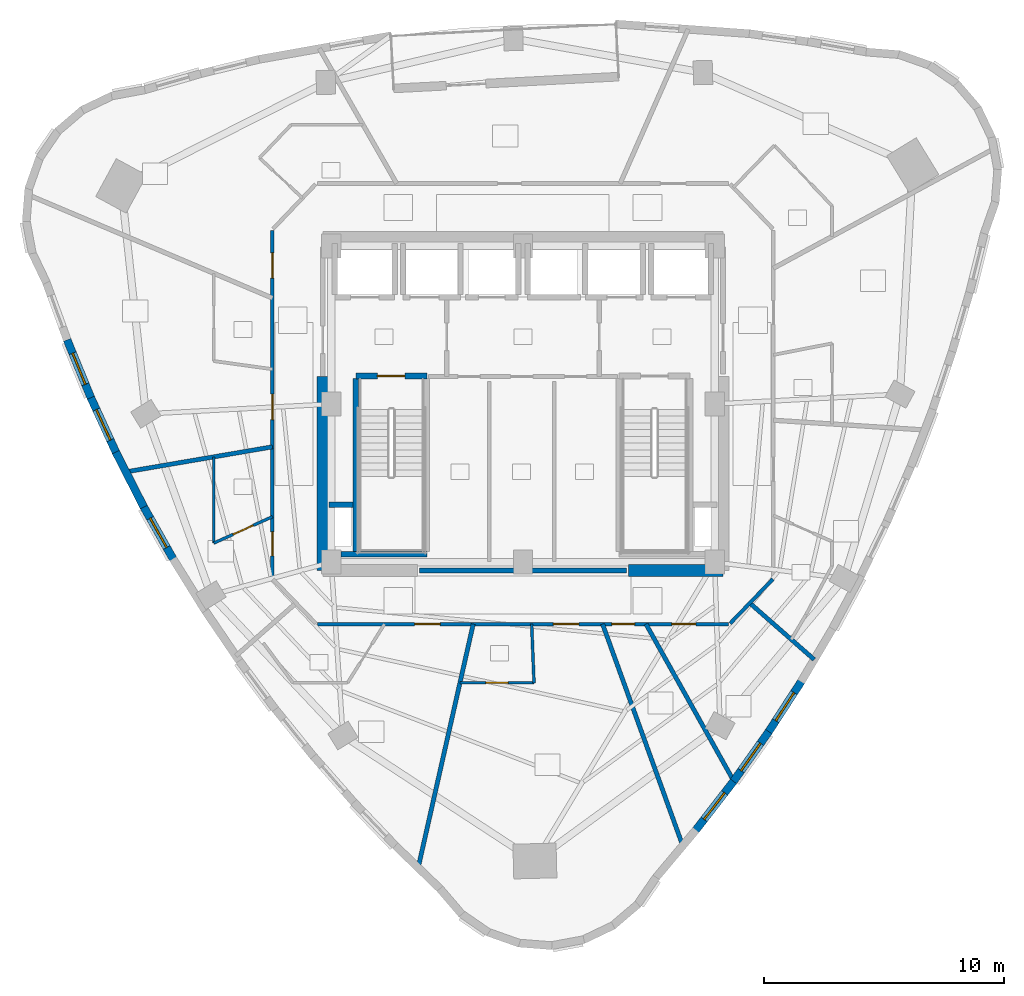
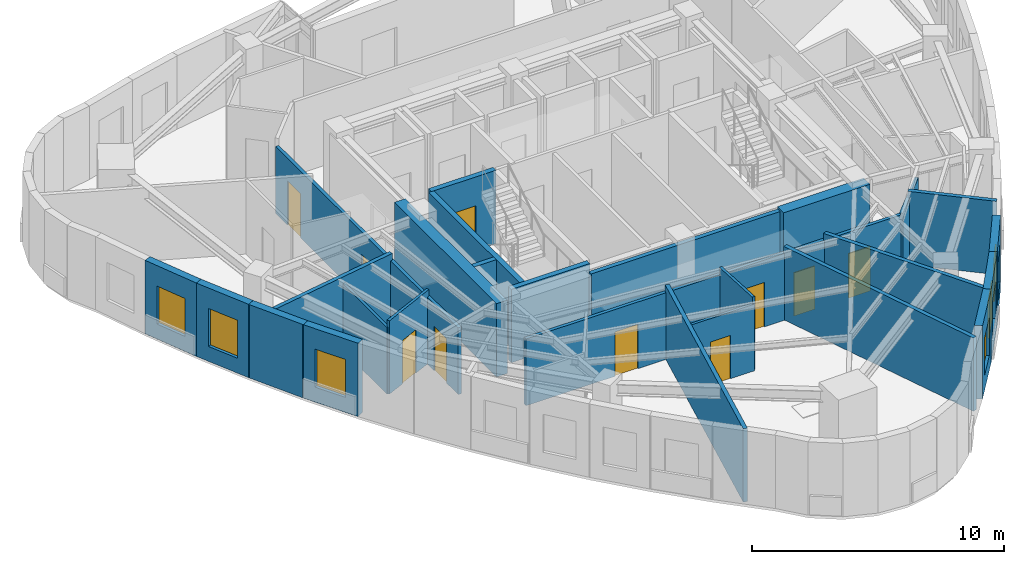
# One storey, part 5 of 11: 26 walls, 10 doors, 6 windows, 16 openings.
"""IFC4 building model written with IfcOpenShell, lengths in metres."""

from ifc_helpers import new_model, si_unit, direction, frame, frame_2d, origin, place, context, subcontext, project, spatial, rectangle, extrude, material, layer, layer_set, type_object, element, fill, save


model = new_model("IFC4")

# Units and contexts
model_context = context("Model", 3, precision=1e-05, world=origin(), true_north=direction((0.0, 1.0)))
body_context = subcontext(model_context, "Body", "Model", "MODEL_VIEW")
ifc_project = project(units=[si_unit("LENGTHUNIT", "METRE"), si_unit("AREAUNIT", "SQUARE_METRE"), si_unit("VOLUMEUNIT", "CUBIC_METRE"), si_unit("PLANEANGLEUNIT", "RADIAN"), si_unit("MASSUNIT", "GRAM", prefix="KILO")], contexts=[model_context])

# Site, building, storey
site_placement = place(None, origin())
site = spatial("IfcSite", under=ifc_project, at=site_placement, CompositionType="ELEMENT")
building_placement = place(site_placement, origin())
building = spatial("IfcBuilding", under=site, at=building_placement, Name="Ndelora Gate Hotel", CompositionType="ELEMENT")
storey_placement = place(building_placement, frame((0.0, 0.0, 216.949951171875)))
storey = spatial("IfcBuildingStorey", under=building, at=storey_placement, Name="L54", CompositionType="ELEMENT", Elevation=216.949951171875)

# Walls
ifc_material_1 = material(Name="Acoustic Double-Stud Gypsum Assembly", Category="gypsum")
ifc_layer_1 = layer(ifc_material_1, 0.179931640625)
ifc_layer_set_1 = layer_set([ifc_layer_1], Name="Acoustic Double-Stud Gypsum Assembly")
wall_type_1 = type_object("IfcWallType", Name="WL-ACOUST-180", PredefinedType="PARTITIONING", material=ifc_layer_set_1)
wall_1_placement = place(storey_placement, frame((9.464111328125, -8.3037109375, 0.0), z_axis=(0.0, 0.0, 1.0), x_axis=(0.751709245101, -0.659494663231, 0.0)))
element("IfcWall", 1, at=wall_1_placement, inside=storey, type_object=wall_type_1, Name="L54 Interior Wall IW-3", PredefinedType="PARTITIONING", context=body_context, shape_type="SweptSolid", body=[
    extrude(rectangle(XDim=3.576904296875, YDim=0.179931640625, at=frame_2d((1.78857421875, 0.0))), origin(), (0.0, 0.0, 1.0), 3.550048828125),
])
wall_2_placement = place(storey_placement, frame((-10.449951171875, -1.7861328125, 0.0), z_axis=(0.0, 0.0, 1.0), x_axis=(-0.985707903362, -0.168463435946, 0.0)))
element("IfcWall", 2, at=wall_2_placement, inside=storey, type_object=wall_type_1, Name="L54 Interior Wall IW-3", PredefinedType="PARTITIONING", context=body_context, shape_type="SweptSolid", body=[
    extrude(rectangle(XDim=6.20263671875, YDim=0.179931640625, at=frame_2d((3.101318359375, 0.0))), origin(), (0.0, 0.0, 1.0), 3.550048828125),
])
wall_3_placement = place(storey_placement, frame((-2.073486328125, -9.179931640625, 0.0), z_axis=(0.0, 0.0, 1.0), x_axis=(-0.220339233084, -0.975423304194, 0.0)))
element("IfcWall", 3, at=wall_3_placement, inside=storey, type_object=wall_type_1, Name="L54 Interior Wall IW-3", PredefinedType="PARTITIONING", context=body_context, shape_type="SweptSolid", body=[
    extrude(rectangle(XDim=10.423095703125, YDim=0.179931640625, at=frame_2d((5.21142578125, 0.0))), origin(), (0.0, 0.0, 1.0), 3.550048828125),
])
wall_4_placement = place(storey_placement, frame((3.322021484375, -9.179931640625, 0.0), z_axis=(0.0, 0.0, 1.0), x_axis=(0.340249588168, -0.940335162456, 0.0)))
element("IfcWall", 4, at=wall_4_placement, inside=storey, type_object=wall_type_1, Name="L54 Interior Wall IW-3", PredefinedType="PARTITIONING", context=body_context, shape_type="SweptSolid", body=[
    extrude(rectangle(XDim=9.833740234375, YDim=0.179931640625, at=frame_2d((4.9169921875, 0.0))), origin(), (0.0, 0.0, 1.0), 3.550048828125),
])
wall_5_placement = place(storey_placement, frame((5.13330078125, -9.179931640625, 0.0), z_axis=(0.0, 0.0, 1.0), x_axis=(0.488070082924, -0.872804442103, 0.0)))
element("IfcWall", 5, at=wall_5_placement, inside=storey, type_object=wall_type_1, Name="L54 Interior Wall IW-3", PredefinedType="PARTITIONING", context=body_context, shape_type="SweptSolid", body=[
    extrude(rectangle(XDim=7.501220703125, YDim=0.179931640625, at=frame_2d((3.75048828125, 0.0))), origin(), (0.0, 0.0, 1.0), 3.550048828125),
])

# Wall, opening, window
ifc_material_2 = material(Name="Clay Brick Masonry", Category="masonry")
ifc_layer_2 = layer(ifc_material_2, 0.330078125)
ifc_layer_set_2 = layer_set([ifc_layer_2], Name="Clay Brick Masonry")
wall_type_2 = type_object("IfcWallType", Name="WL-BRICK-330", PredefinedType="SOLIDWALL", material=ifc_layer_set_2)
wall_6_placement = place(storey_placement, frame((-18.025390625, 0.2626953125, 0.0), z_axis=(0.0, 0.0, 1.0), x_axis=(-0.379601522234, 0.925150087455, 0.0)))
wall_6 = element("IfcWall", 6, at=wall_6_placement, inside=storey, type_object=wall_type_2, Name="L54 Tower Brick Pier-and-Spandrel Wall TWR-10", PredefinedType="SOLIDWALL", context=body_context, shape_type="SweptSolid", body=[
    extrude(rectangle(XDim=2.60986328125, YDim=0.330078125, at=frame_2d((1.304931640625, 0.0))), origin(), (0.0, 0.0, 1.0), 3.550048828125),
])
opening_1_placement = place(wall_6_placement, frame((0.60498046875, 0.0, 0.719970703125)))
opening_1 = element("IfcOpeningElement", 7, at=opening_1_placement, cuts=wall_6, Name="Opening W02", PredefinedType="OPENING", context=body_context, shape_type="SweptSolid", body=[
    extrude(rectangle(XDim=1.39990234375, YDim=1.840087890625, at=frame_2d((0.699951171875, 0.919921875))), frame((0.0, 0.175048828125, 0.0), z_axis=(0.0, -1.0, 0.0), x_axis=(1.0, 0.0, 0.0)), (0.0, 0.0, 1.0), 0.35009765625),
])
ifc_material_3 = material(Name="Insulated Low-E Double Glazing in Bronze Aluminium Frame", Category="aluminium")
window_type = type_object("IfcWindowType", Name="WN-DEEP-1400", PartitioningType="SINGLE_PANEL", PredefinedType="WINDOW", material=ifc_material_3)
window_1_placement = place(opening_1_placement, origin())
window_1 = element("IfcWindow", 8, at=window_1_placement, inside=storey, type_object=window_type, Name="L54 Deep-Set Brick-Pier Window W02", OverallHeight=1.840087890625, OverallWidth=1.39990234375, PartitioningType="SINGLE_PANEL", PredefinedType="WINDOW", context=body_context, shape_type="SweptSolid", body=[
    extrude(rectangle(XDim=1.39990234375, YDim=1.840087890625, at=frame_2d((0.699951171875, 0.919921875))), frame((0.0, 0.030029296875, 0.0), z_axis=(0.0, -1.0, 0.0), x_axis=(1.0, 0.0, 0.0)), (0.0, 0.0, 1.0), 0.06005859375),
])
fill(opening_1, window_1)

wall_7_placement = place(storey_placement, frame((-16.96435546875, -2.0478515625, 0.0), z_axis=(0.0, 0.0, 1.0), x_axis=(-0.41697893771, 0.908916148776, 0.0)))
wall_7 = element("IfcWall", 9, at=wall_7_placement, inside=storey, type_object=wall_type_2, Name="L54 Tower Brick Pier-and-Spandrel Wall TWR-11", PredefinedType="SOLIDWALL", context=body_context, shape_type="SweptSolid", body=[
    extrude(rectangle(XDim=2.592529296875, YDim=0.330078125, at=frame_2d((1.29638671875, 0.0))), origin(), (0.0, 0.0, 1.0), 3.550048828125),
])
opening_2_placement = place(wall_7_placement, frame((0.59619140625, 0.0, 0.719970703125)))
opening_2 = element("IfcOpeningElement", 10, at=opening_2_placement, cuts=wall_7, Name="Opening W02", PredefinedType="OPENING", context=body_context, shape_type="SweptSolid", body=[
    extrude(rectangle(XDim=1.39990234375, YDim=1.840087890625, at=frame_2d((0.699951171875, 0.919921875))), frame((0.0, 0.175048828125, 0.0), z_axis=(0.0, -1.0, 0.0), x_axis=(1.0, 0.0, 0.0)), (0.0, 0.0, 1.0), 0.35009765625),
])
window_2_placement = place(opening_2_placement, origin())
window_2 = element("IfcWindow", 11, at=window_2_placement, inside=storey, type_object=window_type, Name="L54 Deep-Set Brick-Pier Window W02", OverallHeight=1.840087890625, OverallWidth=1.39990234375, PartitioningType="SINGLE_PANEL", PredefinedType="WINDOW", context=body_context, shape_type="SweptSolid", body=[
    extrude(rectangle(XDim=1.39990234375, YDim=1.840087890625, at=frame_2d((0.699951171875, 0.919921875))), frame((0.0, 0.030029296875, 0.0), z_axis=(0.0, -1.0, 0.0), x_axis=(1.0, 0.0, 0.0)), (0.0, 0.0, 1.0), 0.06005859375),
])
fill(opening_2, window_2)

# Wall
wall_8_placement = place(storey_placement, frame((-15.814453125, -4.30078125, 0.0), z_axis=(0.0, 0.0, 1.0), x_axis=(-0.454203650024, 0.890897886576, 0.0)))
element("IfcWall", 12, at=wall_8_placement, inside=storey, type_object=wall_type_2, Name="L54 Tower Brick Pier-and-Spandrel Wall TWR-12", PredefinedType="SOLIDWALL", context=body_context, shape_type="SweptSolid", body=[
    extrude(rectangle(XDim=2.57958984375, YDim=0.330078125, at=frame_2d((1.289794921875, 0.0))), origin(), (0.0, 0.0, 1.0), 3.550048828125),
])

# Wall, opening, window
wall_9_placement = place(storey_placement, frame((-14.576416015625, -6.496337890625, 0.0), z_axis=(0.0, 0.0, 1.0), x_axis=(-0.490851857412, 0.871243051091, 0.0)))
wall_9 = element("IfcWall", 13, at=wall_9_placement, inside=storey, type_object=wall_type_2, Name="L54 Tower Brick Pier-and-Spandrel Wall TWR-13", PredefinedType="SOLIDWALL", context=body_context, shape_type="SweptSolid", body=[
    extrude(rectangle(XDim=2.570556640625, YDim=0.330078125, at=frame_2d((1.28515625, 0.0))), origin(), (0.0, 0.0, 1.0), 3.550048828125),
])
opening_3_placement = place(wall_9_placement, frame((0.585205078125, 0.0, 0.719970703125)))
opening_3 = element("IfcOpeningElement", 14, at=opening_3_placement, cuts=wall_9, Name="Opening W02", PredefinedType="OPENING", context=body_context, shape_type="SweptSolid", body=[
    extrude(rectangle(XDim=1.39990234375, YDim=1.840087890625, at=frame_2d((0.699951171875, 0.919921875))), frame((0.0, 0.175048828125, 0.0), z_axis=(0.0, -1.0, 0.0), x_axis=(1.0, 0.0, 0.0)), (0.0, 0.0, 1.0), 0.35009765625),
])
window_3_placement = place(opening_3_placement, origin())
window_3 = element("IfcWindow", 15, at=window_3_placement, inside=storey, type_object=window_type, Name="L54 Deep-Set Brick-Pier Window W02", OverallHeight=1.840087890625, OverallWidth=1.39990234375, PartitioningType="SINGLE_PANEL", PredefinedType="WINDOW", context=body_context, shape_type="SweptSolid", body=[
    extrude(rectangle(XDim=1.39990234375, YDim=1.840087890625, at=frame_2d((0.699951171875, 0.919921875))), frame((0.0, 0.030029296875, 0.0), z_axis=(0.0, -1.0, 0.0), x_axis=(1.0, 0.0, 0.0)), (0.0, 0.0, 1.0), 0.06005859375),
])
fill(opening_3, window_3)

wall_10_placement = place(storey_placement, frame((8.78515625, -15.74169921875, 0.0), z_axis=(0.0, 0.0, 1.0), x_axis=(-0.611372957331, -0.791342597769, 0.0)))
wall_10 = element("IfcWall", 16, at=wall_10_placement, inside=storey, type_object=wall_type_2, Name="L54 Tower Brick Pier-and-Spandrel Wall TWR-30", PredefinedType="SOLIDWALL", context=body_context, shape_type="SweptSolid", body=[
    extrude(rectangle(XDim=2.610107421875, YDim=0.330078125, at=frame_2d((1.30517578125, 0.0))), origin(), (0.0, 0.0, 1.0), 3.550048828125),
])
opening_4_placement = place(wall_10_placement, frame((0.60498046875, 0.0, 0.719970703125)))
opening_4 = element("IfcOpeningElement", 17, at=opening_4_placement, cuts=wall_10, Name="Opening W02", PredefinedType="OPENING", context=body_context, shape_type="SweptSolid", body=[
    extrude(rectangle(XDim=1.39990234375, YDim=1.840087890625, at=frame_2d((0.699951171875, 0.919921875))), frame((0.0, 0.175048828125, 0.0), z_axis=(0.0, -1.0, 0.0), x_axis=(1.0, 0.0, 0.0)), (0.0, 0.0, 1.0), 0.35009765625),
])
window_4_placement = place(opening_4_placement, origin())
window_4 = element("IfcWindow", 18, at=window_4_placement, inside=storey, type_object=window_type, Name="L54 Deep-Set Brick-Pier Window W02", OverallHeight=1.840087890625, OverallWidth=1.39990234375, PartitioningType="SINGLE_PANEL", PredefinedType="WINDOW", context=body_context, shape_type="SweptSolid", body=[
    extrude(rectangle(XDim=1.39990234375, YDim=1.840087890625, at=frame_2d((0.699951171875, 0.919921875))), frame((0.0, 0.030029296875, 0.0), z_axis=(0.0, -1.0, 0.0), x_axis=(1.0, 0.0, 0.0)), (0.0, 0.0, 1.0), 0.06005859375),
])
fill(opening_4, window_4)

wall_11_placement = place(storey_placement, frame((10.255615234375, -13.66748046875, 0.0), z_axis=(0.0, 0.0, 1.0), x_axis=(-0.578652053692, -0.815574521891, 0.0)))
wall_11 = element("IfcWall", 19, at=wall_11_placement, inside=storey, type_object=wall_type_2, Name="L54 Tower Brick Pier-and-Spandrel Wall TWR-31", PredefinedType="SOLIDWALL", context=body_context, shape_type="SweptSolid", body=[
    extrude(rectangle(XDim=2.5927734375, YDim=0.330078125, at=frame_2d((1.29638671875, 0.0))), origin(), (0.0, 0.0, 1.0), 3.550048828125),
])
opening_5_placement = place(wall_11_placement, frame((0.59619140625, 0.0, 0.719970703125)))
opening_5 = element("IfcOpeningElement", 20, at=opening_5_placement, cuts=wall_11, Name="Opening W02", PredefinedType="OPENING", context=body_context, shape_type="SweptSolid", body=[
    extrude(rectangle(XDim=1.39990234375, YDim=1.840087890625, at=frame_2d((0.699951171875, 0.919921875))), frame((0.0, 0.175048828125, 0.0), z_axis=(0.0, -1.0, 0.0), x_axis=(1.0, 0.0, 0.0)), (0.0, 0.0, 1.0), 0.35009765625),
])
window_5_placement = place(opening_5_placement, origin())
window_5 = element("IfcWindow", 21, at=window_5_placement, inside=storey, type_object=window_type, Name="L54 Deep-Set Brick-Pier Window W02", OverallHeight=1.840087890625, OverallWidth=1.39990234375, PartitioningType="SINGLE_PANEL", PredefinedType="WINDOW", context=body_context, shape_type="SweptSolid", body=[
    extrude(rectangle(XDim=1.39990234375, YDim=1.840087890625, at=frame_2d((0.699951171875, 0.919921875))), frame((0.0, 0.030029296875, 0.0), z_axis=(0.0, -1.0, 0.0), x_axis=(1.0, 0.0, 0.0)), (0.0, 0.0, 1.0), 0.06005859375),
])
fill(opening_5, window_5)

wall_12_placement = place(storey_placement, frame((11.6318359375, -11.54541015625, 0.0), z_axis=(0.0, 0.0, 1.0), x_axis=(-0.544435959457, -0.838802411805, 0.0)))
wall_12 = element("IfcWall", 22, at=wall_12_placement, inside=storey, type_object=wall_type_2, Name="L54 Tower Brick Pier-and-Spandrel Wall TWR-32", PredefinedType="SOLIDWALL", context=body_context, shape_type="SweptSolid", body=[
    extrude(rectangle(XDim=2.579345703125, YDim=0.330078125, at=frame_2d((1.28955078125, 0.0))), origin(), (0.0, 0.0, 1.0), 3.550048828125),
])
opening_6_placement = place(wall_12_placement, frame((0.589599609375, 0.0, 0.719970703125)))
opening_6 = element("IfcOpeningElement", 23, at=opening_6_placement, cuts=wall_12, Name="Opening W02", PredefinedType="OPENING", context=body_context, shape_type="SweptSolid", body=[
    extrude(rectangle(XDim=1.39990234375, YDim=1.840087890625, at=frame_2d((0.699951171875, 0.919921875))), frame((0.0, 0.175048828125, 0.0), z_axis=(0.0, -1.0, 0.0), x_axis=(1.0, 0.0, 0.0)), (0.0, 0.0, 1.0), 0.35009765625),
])
window_6_placement = place(opening_6_placement, origin())
window_6 = element("IfcWindow", 24, at=window_6_placement, inside=storey, type_object=window_type, Name="L54 Deep-Set Brick-Pier Window W02", OverallHeight=1.840087890625, OverallWidth=1.39990234375, PartitioningType="SINGLE_PANEL", PredefinedType="WINDOW", context=body_context, shape_type="SweptSolid", body=[
    extrude(rectangle(XDim=1.39990234375, YDim=1.840087890625, at=frame_2d((0.699951171875, 0.919921875))), frame((0.0, 0.030029296875, 0.0), z_axis=(0.0, -1.0, 0.0), x_axis=(1.0, 0.0, 0.0)), (0.0, 0.0, 1.0), 0.06005859375),
])
fill(opening_6, window_6)

# Walls
ifc_material_4 = material(Name="Concrete C50/60", Category="concrete")
ifc_layer_3 = layer(ifc_material_4, 0.5)
ifc_layer_set_3 = layer_set([ifc_layer_3], Name="Concrete C50/60")
wall_type_3 = type_object("IfcWallType", Name="WL-CORE-500", PredefinedType="SHEAR", material=ifc_layer_set_3)
wall_13_placement = place(storey_placement, frame((4.39990234375, -6.949951171875, 0.0), z_axis=(0.0, 0.0, 1.0), x_axis=(1.0, 0.0, 0.0)))
element("IfcWall", 25, at=wall_13_placement, inside=storey, type_object=wall_type_3, Name="L54 Core Shear Wall S-E", PredefinedType="SHEAR", context=body_context, shape_type="SweptSolid", body=[
    extrude(rectangle(XDim=3.9501953125, YDim=0.5, at=frame_2d((1.97509765625, 0.0))), origin(), (0.0, 0.0, 1.0), 3.550048828125),
])
wall_14_placement = place(storey_placement, frame((-8.35009765625, -6.949951171875, 0.0), z_axis=(0.0, 0.0, 1.0), x_axis=(0.0, 1.0, 0.0)))
element("IfcWall", 26, at=wall_14_placement, inside=storey, type_object=wall_type_3, Name="L54 Core Shear Wall W", PredefinedType="SHEAR", context=body_context, shape_type="SweptSolid", body=[
    extrude(rectangle(XDim=8.099853515625, YDim=0.5, at=frame_2d((4.0498046875, 0.0))), origin(), (0.0, 0.0, 1.0), 3.550048828125),
])
ifc_material_5 = material(Name="Concrete C40/50", Category="concrete")
ifc_layer_4 = layer(ifc_material_5, 0.199951171875)
ifc_layer_set_4 = layer_set([ifc_layer_4], Name="Concrete C40/50")
wall_type_4 = type_object("IfcWallType", Name="WL-FIRE-200", PredefinedType="PARTITIONING", material=ifc_layer_set_4)
wall_15_placement = place(storey_placement, frame((-4.320068359375, -6.949951171875, 0.0), z_axis=(0.0, 0.0, 1.0), x_axis=(1.0, 0.0, 0.0)))
element("IfcWall", 27, at=wall_15_placement, inside=storey, type_object=wall_type_4, Name="L54 Interior Wall IW-2", PredefinedType="PARTITIONING", context=body_context, shape_type="SweptSolid", body=[
    extrude(rectangle(XDim=8.64013671875, YDim=0.199951171875, at=frame_2d((4.320068359375, 0.0))), origin(), (0.0, 0.0, 1.0), 3.550048828125),
])

# Wall, openings, doors
ifc_material_6 = material(Name="Fire-Rated Gypsum Stud Partition", Category="gypsum")
ifc_layer_5 = layer(ifc_material_6, 0.14990234375)
ifc_layer_set_5 = layer_set([ifc_layer_5], Name="Fire-Rated Gypsum Stud Partition")
wall_type_5 = type_object("IfcWallType", Name="WL-PART-150", PredefinedType="PARTITIONING", material=ifc_layer_set_5)
wall_16_placement = place(storey_placement, frame((8.580078125, -9.179931640625, 0.0), z_axis=(0.0, 0.0, 1.0), x_axis=(-1.0, 0.0, 0.0)))
wall_16 = element("IfcWall", 28, at=wall_16_placement, inside=storey, type_object=wall_type_5, Name="L54 Interior Wall IW-5", PredefinedType="PARTITIONING", context=body_context, shape_type="SweptSolid", body=[
    extrude(rectangle(XDim=17.16015625, YDim=0.14990234375, at=frame_2d((8.580078125, 0.0))), origin(), (0.0, 0.0, 1.0), 3.22998046875),
])
opening_7_placement = place(wall_16_placement, frame((3.91552734375, 0.0, 0.0)))
opening_7 = element("IfcOpeningElement", 29, at=opening_7_placement, cuts=wall_16, Name="Opening D05", PredefinedType="OPENING", context=body_context, shape_type="SweptSolid", body=[
    extrude(rectangle(XDim=0.949951171875, YDim=2.10009765625, at=frame_2d((0.47509765625, 1.050048828125))), frame((0.0, 0.0849609375, 0.0), z_axis=(0.0, -1.0, 0.0), x_axis=(1.0, 0.0, 0.0)), (0.0, 0.0, 1.0), 0.169921875),
])
opening_8_placement = place(wall_16_placement, frame((1.36328125, 0.0, 0.0)))
opening_8 = element("IfcOpeningElement", 30, at=opening_8_placement, cuts=wall_16, Name="Opening D01", PredefinedType="OPENING", context=body_context, shape_type="SweptSolid", body=[
    extrude(rectangle(XDim=1.0, YDim=2.14990234375, at=frame_2d((0.5, 1.074951171875))), frame((0.0, 0.0849609375, 0.0), z_axis=(0.0, -1.0, 0.0), x_axis=(1.0, 0.0, 0.0)), (0.0, 0.0, 1.0), 0.169921875),
])
opening_9_placement = place(wall_16_placement, frame((12.0380859375, 0.0, 0.0)))
opening_9 = element("IfcOpeningElement", 31, at=opening_9_placement, cuts=wall_16, Name="Opening D07", PredefinedType="OPENING", context=body_context, shape_type="SweptSolid", body=[
    extrude(rectangle(XDim=1.06005859375, YDim=2.14990234375, at=frame_2d((0.530029296875, 1.074951171875))), frame((0.0, 0.0849609375, 0.0), z_axis=(0.0, -1.0, 0.0), x_axis=(1.0, 0.0, 0.0)), (0.0, 0.0, 1.0), 0.169921875),
])
opening_10_placement = place(wall_16_placement, frame((6.250732421875, 0.0, 0.0)))
opening_10 = element("IfcOpeningElement", 32, at=opening_10_placement, cuts=wall_16, Name="Opening D07", PredefinedType="OPENING", context=body_context, shape_type="SweptSolid", body=[
    extrude(rectangle(XDim=1.06005859375, YDim=2.14990234375, at=frame_2d((0.530029296875, 1.074951171875))), frame((0.0, 0.0849609375, 0.0), z_axis=(0.0, -1.0, 0.0), x_axis=(1.0, 0.0, 0.0)), (0.0, 0.0, 1.0), 0.169921875),
])
ifc_material_7 = material(Name="Accessible Restroom Wide-Clearance Door", Category="wood")
door_type_1 = type_object("IfcDoorType", Name="DR-ACC-950", OperationType="SINGLE_SWING_LEFT", PredefinedType="DOOR", material=ifc_material_7)
door_1_placement = place(opening_7_placement, origin())
door_1 = element("IfcDoor", 33, at=door_1_placement, inside=storey, type_object=door_type_1, Name="L54 Male Public Restroom Entrance Door", OperationType="SINGLE_SWING_RIGHT", OverallHeight=2.10009765625, OverallWidth=0.949951171875, PredefinedType="DOOR", context=body_context, shape_type="SweptSolid", body=[
    extrude(rectangle(XDim=0.949951171875, YDim=2.10009765625, at=frame_2d((0.47509765625, 1.050048828125))), frame((0.0, 0.02490234375, 0.0), z_axis=(0.0, -1.0, 0.0), x_axis=(1.0, 0.0, 0.0)), (0.0, 0.0, 1.0), 0.050048828125),
])
fill(opening_7, door_1)
ifc_material_8 = material(Name="Acoustic Hardwood Guest Entrance Door", Category="wood")
door_type_2 = type_object("IfcDoorType", Name="DR-COR-1000", OperationType="SINGLE_SWING_LEFT", PredefinedType="DOOR", material=ifc_material_8)
door_2_placement = place(opening_8_placement, origin())
door_2 = element("IfcDoor", 34, at=door_2_placement, inside=storey, type_object=door_type_2, Name="L54 Housekeeping and Linen Room Entrance Door", OperationType="SINGLE_SWING_RIGHT", OverallHeight=2.14990234375, OverallWidth=1.0, PredefinedType="DOOR", context=body_context, shape_type="SweptSolid", body=[
    extrude(rectangle(XDim=1.0, YDim=2.14990234375, at=frame_2d((0.5, 1.074951171875))), frame((0.0, 0.02490234375, 0.0), z_axis=(0.0, -1.0, 0.0), x_axis=(1.0, 0.0, 0.0)), (0.0, 0.0, 1.0), 0.050048828125),
])
fill(opening_8, door_2)
ifc_material_9 = material(Name="Diplomatic Suite Acoustic Entrance Door", Category="wood")
door_type_3 = type_object("IfcDoorType", Name="DR-SUITE-1060", OperationType="SINGLE_SWING_LEFT", PredefinedType="DOOR", material=ifc_material_9)
door_3_placement = place(opening_9_placement, origin())
door_3 = element("IfcDoor", 35, at=door_3_placement, inside=storey, type_object=door_type_3, Name="L54 Corner Horizon Suite 5707 Entrance Door", OperationType="SINGLE_SWING_RIGHT", OverallHeight=2.14990234375, OverallWidth=1.06005859375, PredefinedType="DOOR", context=body_context, shape_type="SweptSolid", body=[
    extrude(rectangle(XDim=1.06005859375, YDim=2.14990234375, at=frame_2d((0.530029296875, 1.074951171875))), frame((0.0, 0.02490234375, 0.0), z_axis=(0.0, -1.0, 0.0), x_axis=(1.0, 0.0, 0.0)), (0.0, 0.0, 1.0), 0.050048828125),
])
fill(opening_9, door_3)
door_4_placement = place(opening_10_placement, origin())
door_4 = element("IfcDoor", 36, at=door_4_placement, inside=storey, type_object=door_type_3, Name="L54 Altitude Club Junior Suite 5708 Entrance Door", OperationType="SINGLE_SWING_RIGHT", OverallHeight=2.14990234375, OverallWidth=1.06005859375, PredefinedType="DOOR", context=body_context, shape_type="SweptSolid", body=[
    extrude(rectangle(XDim=1.06005859375, YDim=2.14990234375, at=frame_2d((0.530029296875, 1.074951171875))), frame((0.0, 0.02490234375, 0.0), z_axis=(0.0, -1.0, 0.0), x_axis=(1.0, 0.0, 0.0)), (0.0, 0.0, 1.0), 0.050048828125),
])
fill(opening_10, door_4)

# Wall
wall_17_placement = place(storey_placement, frame((10.42236328125, -7.308837890625, 0.0), z_axis=(0.0, 0.0, 1.0), x_axis=(-0.693764562202, -0.720201869085, 0.0)))
element("IfcWall", 37, at=wall_17_placement, inside=storey, type_object=wall_type_5, Name="L54 Interior Wall IW-5", PredefinedType="PARTITIONING", context=body_context, shape_type="SweptSolid", body=[
    extrude(rectangle(XDim=2.55810546875, YDim=0.14990234375, at=frame_2d((1.279052734375, 0.0))), origin(), (0.0, 0.0, 1.0), 3.22998046875),
])

# Wall, openings, doors
wall_18_placement = place(storey_placement, frame((-10.449951171875, -7.239990234375, 0.0), z_axis=(0.0, 0.0, 1.0), x_axis=(0.0, 1.0, 0.0)))
wall_18 = element("IfcWall", 38, at=wall_18_placement, inside=storey, type_object=wall_type_5, Name="L54 Interior Wall IW-5", PredefinedType="PARTITIONING", context=body_context, shape_type="SweptSolid", body=[
    extrude(rectangle(XDim=14.47998046875, YDim=0.14990234375, at=frame_2d((7.239990234375, 0.0))), origin(), (0.0, 0.0, 1.0), 3.22998046875),
])
opening_11_placement = place(wall_18_placement, frame((0.9091796875, 0.0, 0.0)))
opening_11 = element("IfcOpeningElement", 39, at=opening_11_placement, cuts=wall_18, Name="Opening D01", PredefinedType="OPENING", context=body_context, shape_type="SweptSolid", body=[
    extrude(rectangle(XDim=1.0, YDim=2.14990234375, at=frame_2d((0.5, 1.074951171875))), frame((0.0, 0.0849609375, 0.0), z_axis=(0.0, -1.0, 0.0), x_axis=(1.0, 0.0, 0.0)), (0.0, 0.0, 1.0), 0.169921875),
])
opening_12_placement = place(wall_18_placement, frame((6.592529296875, 0.0, 0.0)))
opening_12 = element("IfcOpeningElement", 40, at=opening_12_placement, cuts=wall_18, Name="Opening D07", PredefinedType="OPENING", context=body_context, shape_type="SweptSolid", body=[
    extrude(rectangle(XDim=1.06005859375, YDim=2.14990234375, at=frame_2d((0.530029296875, 1.074951171875))), frame((0.0, 0.0849609375, 0.0), z_axis=(0.0, -1.0, 0.0), x_axis=(1.0, 0.0, 0.0)), (0.0, 0.0, 1.0), 0.169921875),
])
opening_13_placement = place(wall_18_placement, frame((12.489501953125, 0.0, 0.0)))
opening_13 = element("IfcOpeningElement", 41, at=opening_13_placement, cuts=wall_18, Name="Opening D07", PredefinedType="OPENING", context=body_context, shape_type="SweptSolid", body=[
    extrude(rectangle(XDim=1.06005859375, YDim=2.14990234375, at=frame_2d((0.530029296875, 1.074951171875))), frame((0.0, 0.0849609375, 0.0), z_axis=(0.0, -1.0, 0.0), x_axis=(1.0, 0.0, 0.0)), (0.0, 0.0, 1.0), 0.169921875),
])
door_5_placement = place(opening_11_placement, origin())
door_5 = element("IfcDoor", 42, at=door_5_placement, inside=storey, type_object=door_type_2, Name="L54 Altitude Superior Guest Room 5706 Entrance Door", OperationType="SINGLE_SWING_LEFT", OverallHeight=2.14990234375, OverallWidth=1.0, PredefinedType="DOOR", context=body_context, shape_type="SweptSolid", body=[
    extrude(rectangle(XDim=1.0, YDim=2.14990234375, at=frame_2d((0.5, 1.074951171875))), frame((0.0, 0.02490234375, 0.0), z_axis=(0.0, -1.0, 0.0), x_axis=(1.0, 0.0, 0.0)), (0.0, 0.0, 1.0), 0.050048828125),
])
fill(opening_11, door_5)
door_6_placement = place(opening_12_placement, origin())
door_6 = element("IfcDoor", 43, at=door_6_placement, inside=storey, type_object=door_type_3, Name="L54 Executive Sky Suite 5705 Entrance Door", OperationType="SINGLE_SWING_LEFT", OverallHeight=2.14990234375, OverallWidth=1.06005859375, PredefinedType="DOOR", context=body_context, shape_type="SweptSolid", body=[
    extrude(rectangle(XDim=1.06005859375, YDim=2.14990234375, at=frame_2d((0.530029296875, 1.074951171875))), frame((0.0, 0.02490234375, 0.0), z_axis=(0.0, -1.0, 0.0), x_axis=(1.0, 0.0, 0.0)), (0.0, 0.0, 1.0), 0.050048828125),
])
fill(opening_12, door_6)
door_7_placement = place(opening_13_placement, origin())
door_7 = element("IfcDoor", 44, at=door_7_placement, inside=storey, type_object=door_type_3, Name="L54 South Diplomatic Suite 5704 Entrance Door", OperationType="SINGLE_SWING_RIGHT", OverallHeight=2.14990234375, OverallWidth=1.06005859375, PredefinedType="DOOR", context=body_context, shape_type="SweptSolid", body=[
    extrude(rectangle(XDim=1.06005859375, YDim=2.14990234375, at=frame_2d((0.530029296875, 1.074951171875))), frame((0.0, 0.02490234375, 0.0), z_axis=(0.0, -1.0, 0.0), x_axis=(1.0, 0.0, 0.0)), (0.0, 0.0, 1.0), 0.050048828125),
])
fill(opening_13, door_7)

# Walls
ifc_layer_6 = layer(ifc_material_5, 0.219970703125)
ifc_layer_set_6 = layer_set([ifc_layer_6], Name="Concrete C40/50")
wall_type_6 = type_object("IfcWallType", Name="WL-SHAFT-220", PredefinedType="PARTITIONING", material=ifc_layer_set_6)
wall_19_placement = place(storey_placement, frame((-8.10009765625, -4.199951171875, 0.0), z_axis=(0.0, 0.0, 1.0), x_axis=(1.0, 0.0, 0.0)))
element("IfcWall", 45, at=wall_19_placement, inside=storey, type_object=wall_type_6, Name="L54 Interior Wall IW-1", PredefinedType="PARTITIONING", context=body_context, shape_type="SweptSolid", body=[
    extrude(rectangle(XDim=1.010009765625, YDim=0.219970703125, at=frame_2d((0.5048828125, 0.0))), origin(), (0.0, 0.0, 1.0), 3.550048828125),
])
ifc_layer_7 = layer(ifc_material_4, 0.239990234375)
ifc_layer_set_7 = layer_set([ifc_layer_7], Name="Concrete C50/60")
wall_type_7 = type_object("IfcWallType", Name="WL-STAIR-240", PredefinedType="SHEAR", material=ifc_layer_set_7)
wall_20_placement = place(storey_placement, frame((-6.969970703125, -6.159912109375, 0.0), z_axis=(0.0, 0.0, 1.0), x_axis=(0.0, 1.0, 0.0)))
element("IfcWall", 46, at=wall_20_placement, inside=storey, type_object=wall_type_7, Name="L54 Stair Core Shear Wall SW-ST", PredefinedType="SHEAR", context=body_context, shape_type="SweptSolid", body=[
    extrude(rectangle(XDim=7.219970703125, YDim=0.239990234375, at=frame_2d((3.60986328125, 0.0))), origin(), (0.0, 0.0, 1.0), 3.550048828125),
])
wall_21_placement = place(storey_placement, frame((-7.60009765625, -6.27001953125, 0.0), z_axis=(0.0, 0.0, 1.0), x_axis=(1.0, 0.0, 0.0)))
element("IfcWall", 47, at=wall_21_placement, inside=storey, type_object=wall_type_7, Name="L54 Stair Core Shear Wall SW-ST", PredefinedType="SHEAR", context=body_context, shape_type="SweptSolid", body=[
    extrude(rectangle(XDim=3.590087890625, YDim=0.239990234375, at=frame_2d((1.794921875, 0.0))), origin(), (0.0, 0.0, 1.0), 3.550048828125),
])

# Wall, opening, door
wall_22_placement = place(storey_placement, frame((-6.969970703125, 1.169921875, 0.0), z_axis=(0.0, 0.0, 1.0), x_axis=(1.0, 0.0, 0.0)))
wall_22 = element("IfcWall", 48, at=wall_22_placement, inside=storey, type_object=wall_type_7, Name="L54 Stair Core Shear Wall SW-ST", PredefinedType="SHEAR", context=body_context, shape_type="SweptSolid", body=[
    extrude(rectangle(XDim=2.9599609375, YDim=0.239990234375, at=frame_2d((1.47998046875, 0.0))), origin(), (0.0, 0.0, 1.0), 3.550048828125),
])
opening_14_placement = place(wall_22_placement, frame((0.89990234375, 0.0, 0.0)))
opening_14 = element("IfcOpeningElement", 49, at=opening_14_placement, cuts=wall_22, Name="Opening FD1", PredefinedType="OPENING", context=body_context, shape_type="SweptSolid", body=[
    extrude(rectangle(XDim=1.14990234375, YDim=2.14990234375, at=frame_2d((0.574951171875, 1.074951171875))), frame((0.0, 0.1298828125, 0.0), z_axis=(0.0, -1.0, 0.0), x_axis=(1.0, 0.0, 0.0)), (0.0, 0.0, 1.0), 0.260009765625),
])
ifc_material_10 = material(Name="Fire-Rated Timber-Veneer Steel Core", Category="steel")
door_type_4 = type_object("IfcDoorType", Name="DR-FD60", OperationType="SINGLE_SWING_LEFT", PredefinedType="DOOR", material=ifc_material_10)
door_8_placement = place(opening_14_placement, origin())
door_8 = element("IfcDoor", 50, at=door_8_placement, inside=storey, type_object=door_type_4, Name="L54 Exit Stair ST4 Door", OperationType="SINGLE_SWING_LEFT", OverallHeight=2.14990234375, OverallWidth=1.14990234375, PredefinedType="DOOR", context=body_context, shape_type="SweptSolid", body=[
    extrude(rectangle(XDim=1.14990234375, YDim=2.14990234375, at=frame_2d((0.574951171875, 1.074951171875))), frame((0.0, 0.02490234375, 0.0), z_axis=(0.0, -1.0, 0.0), x_axis=(1.0, 0.0, 0.0)), (0.0, 0.0, 1.0), 0.050048828125),
])
fill(opening_14, door_8)

ifc_material_11 = material(Name="Moisture-Resistant Bathroom Tile Partition", Category="gypsum")
ifc_layer_8 = layer(ifc_material_11, 0.1201171875)
ifc_layer_set_8 = layer_set([ifc_layer_8], Name="Moisture-Resistant Bathroom Tile Partition")
wall_type_8 = type_object("IfcWallType", Name="WL-WET-120", PredefinedType="PARTITIONING", material=ifc_layer_set_8)
wall_23_placement = place(storey_placement, frame((-10.449951171875, -4.700439453125, 0.0), z_axis=(0.0, 0.0, 1.0), x_axis=(-0.911981011606, -0.410232415186, 0.0)))
wall_23 = element("IfcWall", 51, at=wall_23_placement, inside=storey, type_object=wall_type_8, Name="L54 Interior Wall IW-7", PredefinedType="PARTITIONING", context=body_context, shape_type="SweptSolid", body=[
    extrude(rectangle(XDim=2.6865234375, YDim=0.1201171875, at=frame_2d((1.34326171875, 0.0))), origin(), (0.0, 0.0, 1.0), 3.550048828125),
])
opening_15_placement = place(wall_23_placement, frame((0.88330078125, 0.0, 0.0)))
opening_15 = element("IfcOpeningElement", 52, at=opening_15_placement, cuts=wall_23, Name="Opening D03", PredefinedType="OPENING", context=body_context, shape_type="SweptSolid", body=[
    extrude(rectangle(XDim=0.919921875, YDim=2.10009765625, at=frame_2d((0.4599609375, 1.050048828125))), frame((0.0, 0.070068359375, 0.0), z_axis=(0.0, -1.0, 0.0), x_axis=(1.0, 0.0, 0.0)), (0.0, 0.0, 1.0), 0.14013671875),
])
ifc_material_12 = material(Name="Moisture-Resistant Hardwood En-Suite Door", Category="wood")
door_type_5 = type_object("IfcDoorType", Name="DR-BATH-920", OperationType="SINGLE_SWING_LEFT", PredefinedType="DOOR", material=ifc_material_12)
door_9_placement = place(opening_15_placement, origin())
door_9 = element("IfcDoor", 53, at=door_9_placement, inside=storey, type_object=door_type_5, Name="L54 En-suite Bathroom 5706 Door", OperationType="SINGLE_SWING_LEFT", OverallHeight=2.10009765625, OverallWidth=0.919921875, PredefinedType="DOOR", context=body_context, shape_type="SweptSolid", body=[
    extrude(rectangle(XDim=0.919921875, YDim=2.10009765625, at=frame_2d((0.4599609375, 1.050048828125))), frame((0.0, 0.02490234375, 0.0), z_axis=(0.0, -1.0, 0.0), x_axis=(1.0, 0.0, 0.0)), (0.0, 0.0, 1.0), 0.050048828125),
])
fill(opening_15, door_9)

# Walls
wall_24_placement = place(storey_placement, frame((-12.89990234375, -2.204833984375, 0.0), z_axis=(0.0, 0.0, 1.0), x_axis=(0.0, -1.0, 0.0)))
element("IfcWall", 54, at=wall_24_placement, inside=storey, type_object=wall_type_8, Name="L54 Interior Wall IW-7", PredefinedType="PARTITIONING", context=body_context, shape_type="SweptSolid", body=[
    extrude(rectangle(XDim=3.59765625, YDim=0.1201171875, at=frame_2d((1.798828125, 0.0))), origin(), (0.0, 0.0, 1.0), 3.22998046875),
])
wall_25_placement = place(storey_placement, frame((0.364990234375, -9.179931640625, 0.0), z_axis=(0.0, 0.0, 1.0), x_axis=(0.039828859638, -0.999206516162, 0.0)))
element("IfcWall", 55, at=wall_25_placement, inside=storey, type_object=wall_type_8, Name="L54 Interior Wall IW-7", PredefinedType="PARTITIONING", context=body_context, shape_type="SweptSolid", body=[
    extrude(rectangle(XDim=2.451904296875, YDim=0.1201171875, at=frame_2d((1.22607421875, 0.0))), origin(), (0.0, 0.0, 1.0), 3.550048828125),
])

# Wall, opening, door
wall_26_placement = place(storey_placement, frame((0.462646484375, -11.6298828125, 0.0), z_axis=(0.0, 0.0, 1.0), x_axis=(-1.0, 0.0, 0.0)))
wall_26 = element("IfcWall", 56, at=wall_26_placement, inside=storey, type_object=wall_type_8, Name="L54 Interior Wall IW-7", PredefinedType="PARTITIONING", context=body_context, shape_type="SweptSolid", body=[
    extrude(rectangle(XDim=3.089599609375, YDim=0.1201171875, at=frame_2d((1.544921875, 0.0))), origin(), (0.0, 0.0, 1.0), 3.22998046875),
])
opening_16_placement = place(wall_26_placement, frame((1.084716796875, 0.0, 0.0)))
opening_16 = element("IfcOpeningElement", 57, at=opening_16_placement, cuts=wall_26, Name="Opening D03", PredefinedType="OPENING", context=body_context, shape_type="SweptSolid", body=[
    extrude(rectangle(XDim=0.919921875, YDim=2.10009765625, at=frame_2d((0.4599609375, 1.050048828125))), frame((0.0, 0.070068359375, 0.0), z_axis=(0.0, -1.0, 0.0), x_axis=(1.0, 0.0, 0.0)), (0.0, 0.0, 1.0), 0.14013671875),
])
door_10_placement = place(opening_16_placement, origin())
door_10 = element("IfcDoor", 58, at=door_10_placement, inside=storey, type_object=door_type_5, Name="L54 En-suite Bathroom 5708 Door", OperationType="SINGLE_SWING_LEFT", OverallHeight=2.10009765625, OverallWidth=0.919921875, PredefinedType="DOOR", context=body_context, shape_type="SweptSolid", body=[
    extrude(rectangle(XDim=0.919921875, YDim=2.10009765625, at=frame_2d((0.4599609375, 1.050048828125))), frame((0.0, 0.02490234375, 0.0), z_axis=(0.0, -1.0, 0.0), x_axis=(1.0, 0.0, 0.0)), (0.0, 0.0, 1.0), 0.050048828125),
])
fill(opening_16, door_10)

save(model, "model.ifc")
